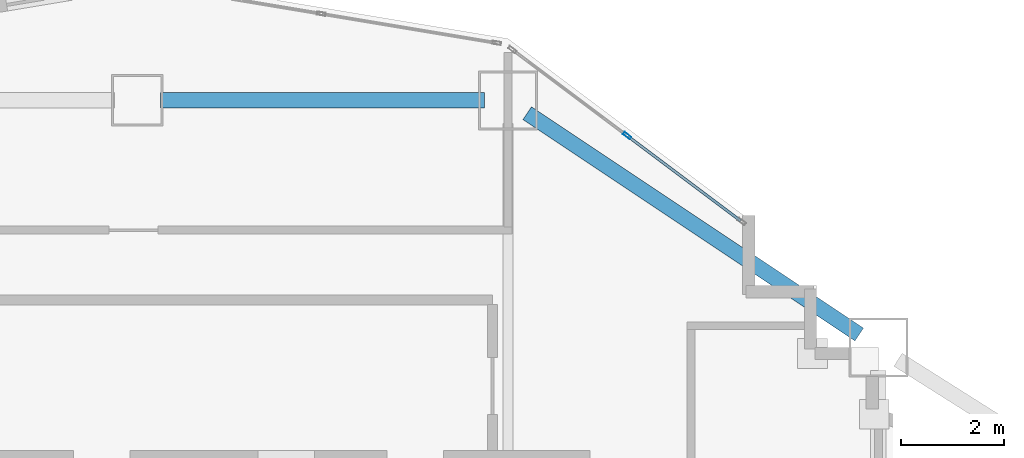
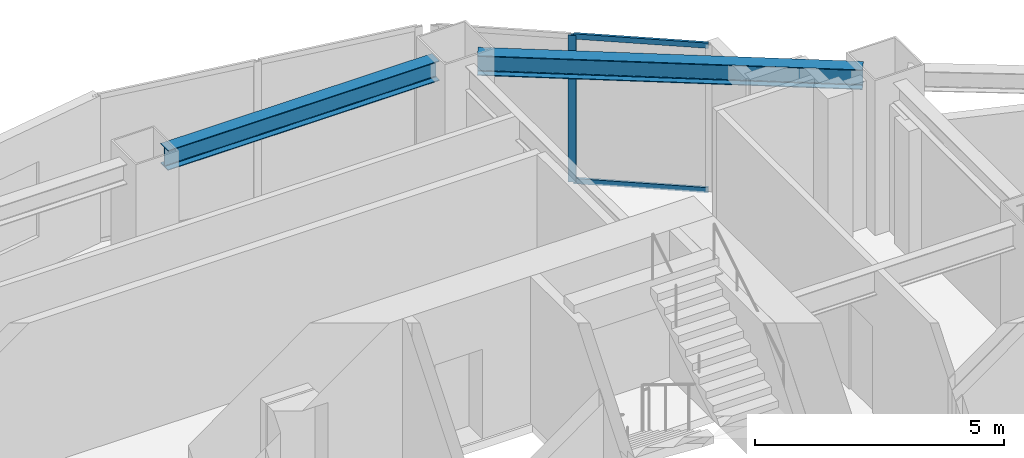
# One storey, part 3 of 16: 3 members, 2 beams, 1 element without a shape of its own.
"""IFC4 building model written with IfcOpenShell, lengths in metres."""

from ifc_helpers import new_model, si_unit, direction, frame, origin, origin_2d, place, context, subcontext, project, spatial, hollow_rectangle, i_section, extrude, material, layer, layer_set, material_profile, profile_set, type_object, element, aggregate, save


model = new_model("IFC4")

# Units and contexts
model_context = context("Model", 3, precision=1e-05, world=origin(), true_north=direction((0.0, 1.0)))
body_context = subcontext(model_context, "Body", "Model", "MODEL_VIEW")
ifc_project = project(units=[si_unit("LENGTHUNIT", "METRE"), si_unit("AREAUNIT", "SQUARE_METRE"), si_unit("VOLUMEUNIT", "CUBIC_METRE"), si_unit("PLANEANGLEUNIT", "RADIAN"), si_unit("MASSUNIT", "GRAM", prefix="KILO")], contexts=[model_context])

# Site, building, storey
site_placement = place(None, origin())
site = spatial("IfcSite", under=ifc_project, at=site_placement, CompositionType="ELEMENT")
building_placement = place(site_placement, origin())
building = spatial("IfcBuilding", under=site, at=building_placement, Name="Haolan Belvedere Tower", CompositionType="ELEMENT")
storey_placement = place(building_placement, frame((0.0, 0.0, 62.800048828125)))
storey = spatial("IfcBuildingStorey", under=building, at=storey_placement, Name="L15", CompositionType="ELEMENT", Elevation=62.800048828125)

# Beams
ifc_material_1 = material(Name="Steel Q355B", Category="steel")
ifc_material_profile_1 = material_profile(ifc_material_1, i_section(OverallWidth=0.300048828125, OverallDepth=0.488037109375, WebThickness=0.010986328125, FlangeThickness=0.01806640625, FilletRadius=0.02587890625, at=origin_2d()), Name="Steel Q355B")
ifc_profile_set_1 = profile_set([ifc_material_profile_1], Name="Steel Q355B")
beam_type = type_object("IfcBeamType", Name="BM-HM488x300x11x18", PredefinedType="SPANDREL", material=ifc_profile_set_1)
beam_1_placement = place(storey_placement, frame((38.85009765625, 50.39990234375, 3.35595703125), z_axis=(1.0, 0.0, 0.0), x_axis=(0.0, 1.0, 0.0)))
element("IfcBeam", 1, at=beam_1_placement, inside=storey, type_object=beam_type, Name="L15 spandrel girder TC-T3-NM-MC-T3-N2", PredefinedType="SPANDREL", context=body_context, shape_type="SweptSolid", body=[
    extrude(i_section(OverallWidth=0.300048828125, OverallDepth=0.488037109375, WebThickness=0.010986328125, FlangeThickness=0.01806640625, FilletRadius=0.02587890625, at=origin_2d()), origin(), (0.0, 0.0, 1.0), 6.2998046875),
])
beam_2_placement = place(storey_placement, frame((45.974365234375, 50.150390625, 3.35595703125), z_axis=(0.832050294338, -0.554700196225, 0.0), x_axis=(0.554700196225, 0.832050294338, 0.0)))
element("IfcBeam", 2, at=beam_2_placement, inside=storey, type_object=beam_type, Name="L15 spandrel girder MC-T3-N2-MC-T3-NE", PredefinedType="SPANDREL", context=body_context, shape_type="SweptSolid", body=[
    extrude(i_section(OverallWidth=0.300048828125, OverallDepth=0.488037109375, WebThickness=0.010986328125, FlangeThickness=0.01806640625, FilletRadius=0.02587890625, at=origin_2d()), origin(), (0.0, 0.0, 1.0), 7.75341796875),
])

# Curtain wall, members
ifc_material_2 = material(Name="Anodised champagne-silver aluminium 6063-T6 and Low-E glass", Category="aluminium")
ifc_layer = layer(ifc_material_2, 0.1650390625, Name="Anodised champagne-silver aluminium 6063-T6 and Low-E glass")
ifc_layer_set = layer_set([ifc_layer], Name="Anodised champagne-silver aluminium 6063-T6 and Low-E glass")
curtain_wall_type = type_object("IfcCurtainWallType", Name="CW-SYS-02", PredefinedType="NOTDEFINED", material=ifc_layer_set)
curtain_wall_placement = place(storey_placement, origin())
curtain_wall = element("IfcCurtainWall", 3, at=curtain_wall_placement, inside=storey, type_object=curtain_wall_type, Name="L15 CW-SYS-02 ribbon curtain wall 41.1", PredefinedType="NOTDEFINED")
ifc_material_3 = material(Name="Anodised aluminium 6063-T6", Category="aluminium")
ifc_material_profile_2 = material_profile(ifc_material_3, hollow_rectangle(XDim=0.06005859375, YDim=0.1650390625, WallThickness=0.00390625, at=origin_2d()), Name="Anodised aluminium 6063-T6")
ifc_profile_set_2 = profile_set([ifc_material_profile_2], Name="Anodised aluminium 6063-T6")
member_type_1 = type_object("IfcMemberType", Name="CW-SYS-02-MUL", PredefinedType="MULLION", material=ifc_profile_set_2)
member_1_placement = place(storey_placement, frame((47.915771484375, 49.713134765625, 0.0), z_axis=(0.0, 0.0, 1.0), x_axis=(-0.599994316874, -0.800004262313, 0.0)))
member_1 = element("IfcMember", 4, at=member_1_placement, type_object=member_type_1, Name="CW-02 mullion 2", PredefinedType="MULLION", context=body_context, shape_type="SweptSolid", body=[
    extrude(hollow_rectangle(XDim=0.06005859375, YDim=0.1650390625, WallThickness=0.00390625, at=origin_2d()), origin(), (0.0, 0.0, 1.0), 3.599853515625),
])
ifc_material_profile_3 = material_profile(ifc_material_3, hollow_rectangle(XDim=0.054931640625, YDim=0.1298828125, WallThickness=0.00390625, at=origin_2d()), Name="Anodised aluminium 6063-T6")
ifc_profile_set_3 = profile_set([ifc_material_profile_3], Name="Anodised aluminium 6063-T6")
member_type_2 = type_object("IfcMemberType", Name="CW-SYS-02-TRN", PredefinedType="USERDEFINED", material=ifc_profile_set_3)
member_2_placement = place(storey_placement, frame((50.1201171875, 48.06005859375, 0.02734375), z_axis=(-0.800010749092, 0.599985667609, 0.0), x_axis=(-0.599985667609, -0.800010749092, 0.0)))
member_2 = element("IfcMember", 5, at=member_2_placement, type_object=member_type_2, Name="CW-02 transom 1.1", ObjectType="TRANSOM", PredefinedType="USERDEFINED", context=body_context, shape_type="SweptSolid", body=[
    extrude(hollow_rectangle(XDim=0.054931640625, YDim=0.1298828125, WallThickness=0.00390625, at=origin_2d()), origin(), (0.0, 0.0, 1.0), 2.7255859375),
])
member_3_placement = place(storey_placement, frame((50.1201171875, 48.06005859375, 3.572509765625), z_axis=(-0.800010749092, 0.599985667609, 0.0), x_axis=(-0.599985667609, -0.800010749092, 0.0)))
member_3 = element("IfcMember", 6, at=member_3_placement, type_object=member_type_2, Name="CW-02 transom 1.2", ObjectType="TRANSOM", PredefinedType="USERDEFINED", context=body_context, shape_type="SweptSolid", body=[
    extrude(hollow_rectangle(XDim=0.054931640625, YDim=0.1298828125, WallThickness=0.00390625, at=origin_2d()), origin(), (0.0, 0.0, 1.0), 2.7255859375),
])
aggregate(curtain_wall, [member_1, member_2, member_3])

save(model, "model.ifc")
